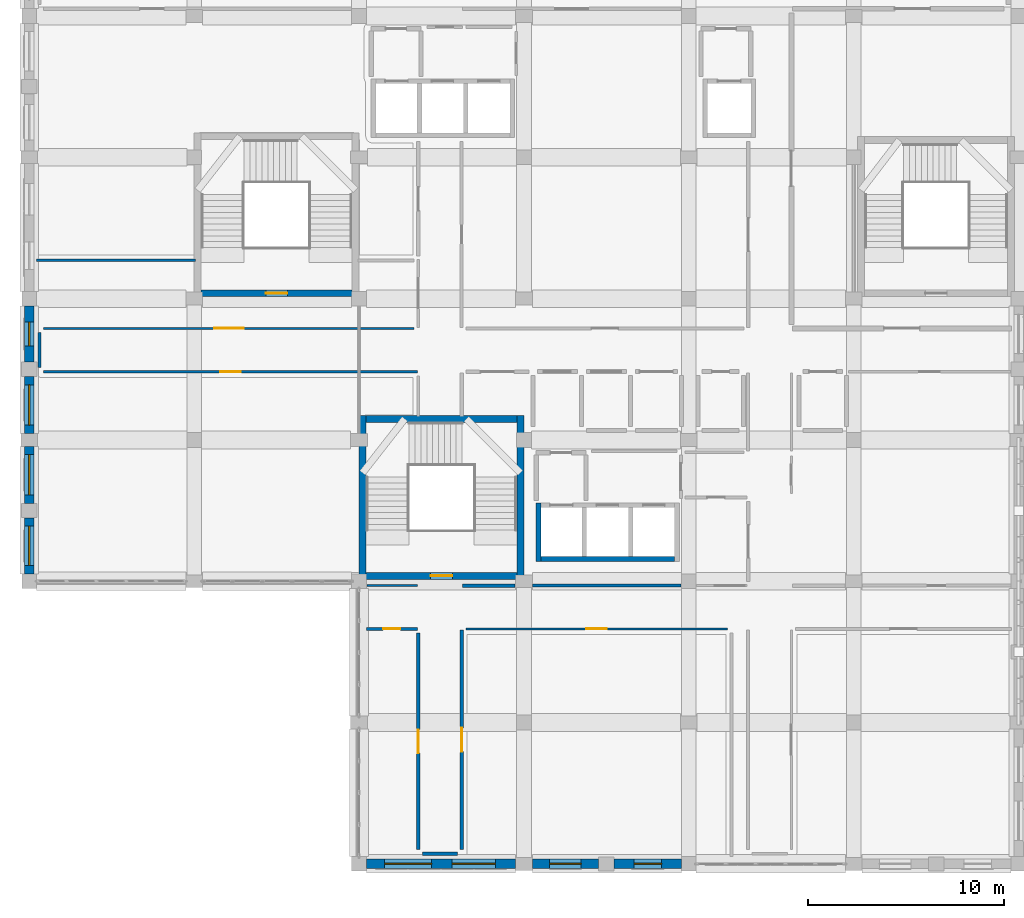
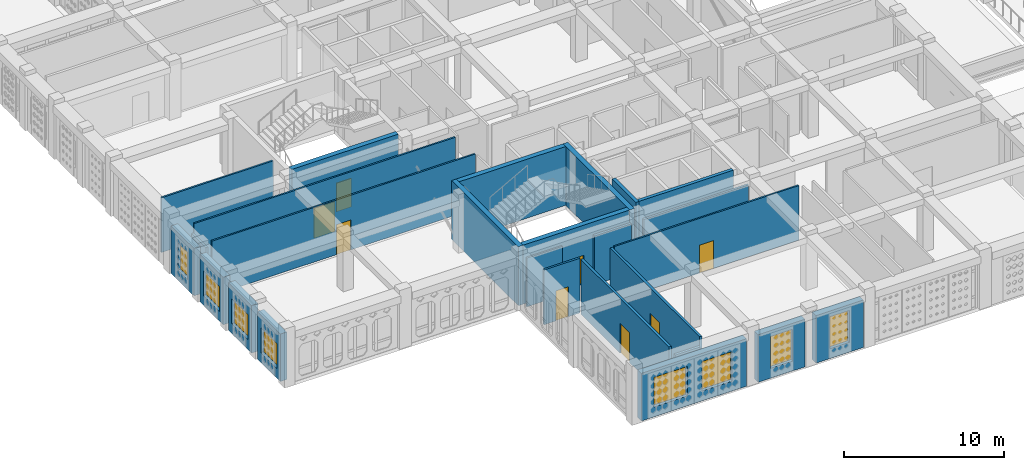
# One storey, part 52 of 100: 26 walls, 8 doors, 8 windows, 16 openings.
"""IFC4 building model written with IfcOpenShell, lengths in metres."""

from ifc_helpers import new_model, si_unit, derived_unit, direction, frame, frame_2d, origin, place, context, subcontext, project, spatial, rectangle, extrude, material, layer, layer_set, type_object, element, fill, save


model = new_model("IFC4")

# Units and contexts
model_context = context("Model", 3, precision=1e-05, world=origin(), true_north=direction((0.0, 1.0)))
body_context = subcontext(model_context, "Body", "Model", "MODEL_VIEW")
ifc_project = project(units=[si_unit("LENGTHUNIT", "METRE"), si_unit("AREAUNIT", "SQUARE_METRE"), si_unit("VOLUMEUNIT", "CUBIC_METRE"), si_unit("PLANEANGLEUNIT", "RADIAN"), si_unit("MASSUNIT", "GRAM", prefix="KILO"), derived_unit("THERMALTRANSMITTANCEUNIT", [(si_unit("POWERUNIT", "WATT"), 1), (si_unit("LENGTHUNIT", "METRE"), -2), (si_unit("THERMODYNAMICTEMPERATUREUNIT", "KELVIN"), -1)])], contexts=[model_context])

# Site, building, storey
site_placement = place(None, origin())
site = spatial("IfcSite", under=ifc_project, at=site_placement, CompositionType="ELEMENT")
building_placement = place(site_placement, origin())
building = spatial("IfcBuilding", under=site, at=building_placement, Name="Veybourne Emporium", CompositionType="ELEMENT")
storey_placement = place(building_placement, frame((0.0, 0.0, 14.39990234375)))
storey = spatial("IfcBuildingStorey", under=building, at=storey_placement, Name="L03", CompositionType="ELEMENT", Elevation=14.39990234375)

# Wall, opening, window
ifc_material_1 = material(Name="Portland Limestone Ashlar", Category="masonry")
ifc_layer_1 = layer(ifc_material_1, 0.47998046875)
ifc_layer_set_1 = layer_set([ifc_layer_1], Name="Portland Limestone Ashlar")
wall_type_1 = type_object("IfcWallType", Name="ExtWall_EW-01", PredefinedType="SOLIDWALL", material=ifc_layer_set_1)
wall_1_placement = place(storey_placement, frame((0.0, 14.77490234375, 0.0), z_axis=(0.0, 0.0, 1.0), x_axis=(0.0, 1.0, 0.0)))
wall_1 = element("IfcWall", 1, at=wall_1_placement, inside=storey, type_object=wall_type_1, Name="L03 Portland stone external wall 002A", PredefinedType="SOLIDWALL", context=body_context, shape_type="SweptSolid", body=[
    extrude(rectangle(XDim=2.85498046875, YDim=0.47998046875, at=frame_2d((1.427490234375, 0.0))), origin(), (0.0, 0.0, 1.0), 3.630126953125),
])
opening_1_placement = place(wall_1_placement, frame((0.427490234375, 0.0, 0.75)))
opening_1 = element("IfcOpeningElement", 2, at=opening_1_placement, cuts=wall_1, Name="Opening W-06", PredefinedType="OPENING", context=body_context, shape_type="SweptSolid", body=[
    extrude(rectangle(XDim=2.0, YDim=1.89990234375, at=frame_2d((1.0, 0.949951171875))), frame((0.0, 0.260009765625, 0.0), z_axis=(0.0, -1.0, 0.0), x_axis=(1.0, 0.0, 0.0)), (0.0, 0.0, 1.0), 0.52001953125),
])
ifc_material_2 = material(Name="Low-E Triple Glazing", Category="glass")
window_type_1 = type_object("IfcWindowType", Name="Win_W-06", PartitioningType="TRIPLE_PANEL_VERTICAL", PredefinedType="WINDOW", material=ifc_material_2)
window_1_placement = place(opening_1_placement, origin())
window_1 = element("IfcWindow", 3, at=window_1_placement, inside=storey, type_object=window_type_1, Name="L03 tripartite bronze casement window W-06 (2A)", OverallHeight=1.89990234375, OverallWidth=2.0, PartitioningType="TRIPLE_PANEL_VERTICAL", PredefinedType="WINDOW", context=body_context, shape_type="SweptSolid", body=[
    extrude(rectangle(XDim=2.0, YDim=1.89990234375, at=frame_2d((1.0, 0.949951171875))), frame((0.0, 0.030029296875, 0.0), z_axis=(0.0, -1.0, 0.0), x_axis=(1.0, 0.0, 0.0)), (0.0, 0.0, 1.0), 0.06005859375),
])
fill(opening_1, window_1)

wall_2_placement = place(storey_placement, frame((0.0, 18.3701171875, 0.0), z_axis=(0.0, 0.0, 1.0), x_axis=(0.0, 1.0, 0.0)))
wall_2 = element("IfcWall", 4, at=wall_2_placement, inside=storey, type_object=wall_type_1, Name="L03 Portland stone external wall 002B", PredefinedType="SOLIDWALL", context=body_context, shape_type="SweptSolid", body=[
    extrude(rectangle(XDim=2.90478515625, YDim=0.47998046875, at=frame_2d((1.452392578125, 0.0))), origin(), (0.0, 0.0, 1.0), 3.630126953125),
])
opening_2_placement = place(wall_2_placement, frame((0.427490234375, 0.0, 0.75)))
opening_2 = element("IfcOpeningElement", 5, at=opening_2_placement, cuts=wall_2, Name="Opening W-07", PredefinedType="OPENING", context=body_context, shape_type="SweptSolid", body=[
    extrude(rectangle(XDim=2.050048828125, YDim=1.89990234375, at=frame_2d((1.02490234375, 0.949951171875))), frame((0.0, 0.260009765625, 0.0), z_axis=(0.0, -1.0, 0.0), x_axis=(1.0, 0.0, 0.0)), (0.0, 0.0, 1.0), 0.52001953125),
])
window_type_2 = type_object("IfcWindowType", Name="Win_W-07", PartitioningType="TRIPLE_PANEL_VERTICAL", PredefinedType="WINDOW", material=ifc_material_2)
window_2_placement = place(opening_2_placement, origin())
window_2 = element("IfcWindow", 6, at=window_2_placement, inside=storey, type_object=window_type_2, Name="L03 tripartite bronze casement window W-07 (2B)", OverallHeight=1.89990234375, OverallWidth=2.050048828125, PartitioningType="TRIPLE_PANEL_VERTICAL", PredefinedType="WINDOW", context=body_context, shape_type="SweptSolid", body=[
    extrude(rectangle(XDim=2.050048828125, YDim=1.89990234375, at=frame_2d((1.02490234375, 0.949951171875))), frame((0.0, 0.030029296875, 0.0), z_axis=(0.0, -1.0, 0.0), x_axis=(1.0, 0.0, 0.0)), (0.0, 0.0, 1.0), 0.06005859375),
])
fill(opening_2, window_2)

wall_3_placement = place(storey_placement, frame((0.0, 21.925048828125, 0.0), z_axis=(0.0, 0.0, 1.0), x_axis=(0.0, 1.0, 0.0)))
wall_3 = element("IfcWall", 7, at=wall_3_placement, inside=storey, type_object=wall_type_1, Name="L03 Portland stone external wall 003A", PredefinedType="SOLIDWALL", context=body_context, shape_type="SweptSolid", body=[
    extrude(rectangle(XDim=2.905029296875, YDim=0.47998046875, at=frame_2d((1.45263671875, 0.0))), origin(), (0.0, 0.0, 1.0), 3.630126953125),
])
opening_3_placement = place(wall_3_placement, frame((0.427490234375, 0.0, 0.75)))
opening_3 = element("IfcOpeningElement", 8, at=opening_3_placement, cuts=wall_3, Name="Opening W-08", PredefinedType="OPENING", context=body_context, shape_type="SweptSolid", body=[
    extrude(rectangle(XDim=2.050048828125, YDim=1.89990234375, at=frame_2d((1.02490234375, 0.949951171875))), frame((0.0, 0.260009765625, 0.0), z_axis=(0.0, -1.0, 0.0), x_axis=(1.0, 0.0, 0.0)), (0.0, 0.0, 1.0), 0.52001953125),
])
window_type_3 = type_object("IfcWindowType", Name="Win_W-08", PartitioningType="TRIPLE_PANEL_VERTICAL", PredefinedType="WINDOW", material=ifc_material_2)
window_3_placement = place(opening_3_placement, origin())
window_3 = element("IfcWindow", 9, at=window_3_placement, inside=storey, type_object=window_type_3, Name="L03 tripartite bronze casement window W-08 (3A)", OverallHeight=1.89990234375, OverallWidth=2.050048828125, PartitioningType="TRIPLE_PANEL_VERTICAL", PredefinedType="WINDOW", context=body_context, shape_type="SweptSolid", body=[
    extrude(rectangle(XDim=2.050048828125, YDim=1.89990234375, at=frame_2d((1.02490234375, 0.949951171875))), frame((0.0, 0.030029296875, 0.0), z_axis=(0.0, -1.0, 0.0), x_axis=(1.0, 0.0, 0.0)), (0.0, 0.0, 1.0), 0.06005859375),
])
fill(opening_3, window_3)

wall_4_placement = place(storey_placement, frame((0.0, 25.570068359375, 0.0), z_axis=(0.0, 0.0, 1.0), x_axis=(0.0, 1.0, 0.0)))
wall_4 = element("IfcWall", 10, at=wall_4_placement, inside=storey, type_object=wall_type_1, Name="L03 Portland stone external wall 003B", PredefinedType="SOLIDWALL", context=body_context, shape_type="SweptSolid", body=[
    extrude(rectangle(XDim=2.85498046875, YDim=0.47998046875, at=frame_2d((1.427490234375, 0.0))), origin(), (0.0, 0.0, 1.0), 3.630126953125),
])
opening_4_placement = place(wall_4_placement, frame((0.827392578125, 0.0, 0.75)))
opening_4 = element("IfcOpeningElement", 11, at=opening_4_placement, cuts=wall_4, Name="Opening W-09", PredefinedType="OPENING", context=body_context, shape_type="SweptSolid", body=[
    extrude(rectangle(XDim=1.199951171875, YDim=2.080078125, at=frame_2d((0.60009765625, 1.0400390625))), frame((0.0, 0.260009765625, 0.0), z_axis=(0.0, -1.0, 0.0), x_axis=(1.0, 0.0, 0.0)), (0.0, 0.0, 1.0), 0.52001953125),
])
window_type_4 = type_object("IfcWindowType", Name="Win_W-09", PartitioningType="SINGLE_PANEL", PredefinedType="WINDOW", material=ifc_material_2)
window_4_placement = place(opening_4_placement, origin())
window_4 = element("IfcWindow", 12, at=window_4_placement, inside=storey, type_object=window_type_4, Name="L03 tripartite bronze casement window W-09 (3B)", OverallHeight=2.080078125, OverallWidth=1.199951171875, PartitioningType="SINGLE_PANEL", PredefinedType="WINDOW", context=body_context, shape_type="SweptSolid", body=[
    extrude(rectangle(XDim=1.199951171875, YDim=2.080078125, at=frame_2d((0.60009765625, 1.0400390625))), frame((0.0, 0.030029296875, 0.0), z_axis=(0.0, -1.0, 0.0), x_axis=(1.0, 0.0, 0.0)), (0.0, 0.0, 1.0), 0.06005859375),
])
fill(opening_4, window_4)

# Wall, openings, windows
wall_5_placement = place(storey_placement, frame((24.77490234375, 0.0, 0.0), z_axis=(0.0, 0.0, 1.0), x_axis=(-1.0, 0.0, 0.0)))
wall_5 = element("IfcWall", 13, at=wall_5_placement, inside=storey, type_object=wall_type_1, Name="L03 Portland stone external wall 014", PredefinedType="SOLIDWALL", context=body_context, shape_type="SweptSolid", body=[
    extrude(rectangle(XDim=7.599853515625, YDim=0.47998046875, at=frame_2d((3.7998046875, 0.0))), origin(), (0.0, 0.0, 1.0), 3.630126953125),
])
opening_5_placement = place(wall_5_placement, frame((1.028076171875, 0.0, 0.75)))
opening_5 = element("IfcOpeningElement", 14, at=opening_5_placement, cuts=wall_5, Name="Opening W-22", PredefinedType="OPENING", context=body_context, shape_type="SweptSolid", body=[
    extrude(rectangle(XDim=2.199951171875, YDim=2.260009765625, at=frame_2d((1.10009765625, 1.1298828125))), frame((0.0, 0.260009765625, 0.0), z_axis=(0.0, -1.0, 0.0), x_axis=(1.0, 0.0, 0.0)), (0.0, 0.0, 1.0), 0.52001953125),
])
opening_6_placement = place(wall_5_placement, frame((4.27197265625, 0.0, 0.75)))
opening_6 = element("IfcOpeningElement", 15, at=opening_6_placement, cuts=wall_5, Name="Opening W-23", PredefinedType="OPENING", context=body_context, shape_type="SweptSolid", body=[
    extrude(rectangle(XDim=2.39990234375, YDim=2.260009765625, at=frame_2d((1.199951171875, 1.1298828125))), frame((0.0, 0.260009765625, 0.0), z_axis=(0.0, -1.0, 0.0), x_axis=(1.0, 0.0, 0.0)), (0.0, 0.0, 1.0), 0.52001953125),
])
window_type_5 = type_object("IfcWindowType", Name="Win_W-22", PartitioningType="TRIPLE_PANEL_VERTICAL", PredefinedType="WINDOW", material=ifc_material_2)
window_5_placement = place(opening_5_placement, origin())
window_5 = element("IfcWindow", 16, at=window_5_placement, inside=storey, type_object=window_type_5, Name="L03 tripartite bronze casement window W-22 (14.1)", OverallHeight=2.260009765625, OverallWidth=2.199951171875, PartitioningType="TRIPLE_PANEL_VERTICAL", PredefinedType="WINDOW", context=body_context, shape_type="SweptSolid", body=[
    extrude(rectangle(XDim=2.199951171875, YDim=2.260009765625, at=frame_2d((1.10009765625, 1.1298828125))), frame((0.0, 0.030029296875, 0.0), z_axis=(0.0, -1.0, 0.0), x_axis=(1.0, 0.0, 0.0)), (0.0, 0.0, 1.0), 0.06005859375),
])
fill(opening_5, window_5)
window_type_6 = type_object("IfcWindowType", Name="Win_W-23", PartitioningType="TRIPLE_PANEL_VERTICAL", PredefinedType="WINDOW", material=ifc_material_2)
window_6_placement = place(opening_6_placement, origin())
window_6 = element("IfcWindow", 17, at=window_6_placement, inside=storey, type_object=window_type_6, Name="L03 tripartite bronze casement window W-23 (14.2)", OverallHeight=2.260009765625, OverallWidth=2.39990234375, PartitioningType="TRIPLE_PANEL_VERTICAL", PredefinedType="WINDOW", context=body_context, shape_type="SweptSolid", body=[
    extrude(rectangle(XDim=2.39990234375, YDim=2.260009765625, at=frame_2d((1.199951171875, 1.1298828125))), frame((0.0, 0.030029296875, 0.0), z_axis=(0.0, -1.0, 0.0), x_axis=(1.0, 0.0, 0.0)), (0.0, 0.0, 1.0), 0.06005859375),
])
fill(opening_6, window_6)

# Wall, opening, window
wall_6_placement = place(storey_placement, frame((33.22509765625, 0.0, 0.0), z_axis=(0.0, 0.0, 1.0), x_axis=(-1.0, 0.0, 0.0)))
wall_6 = element("IfcWall", 18, at=wall_6_placement, inside=storey, type_object=wall_type_1, Name="L03 Portland stone external wall 019A", PredefinedType="SOLIDWALL", context=body_context, shape_type="SweptSolid", body=[
    extrude(rectangle(XDim=3.425048828125, YDim=0.47998046875, at=frame_2d((1.71240234375, 0.0))), origin(), (0.0, 0.0, 1.0), 3.630126953125),
])
opening_7_placement = place(wall_6_placement, frame((1.012451171875, 0.0, 0.75)))
opening_7 = element("IfcOpeningElement", 19, at=opening_7_placement, cuts=wall_6, Name="Opening W-26", PredefinedType="OPENING", context=body_context, shape_type="SweptSolid", body=[
    extrude(rectangle(XDim=1.39990234375, YDim=2.43994140625, at=frame_2d((0.699951171875, 1.219970703125))), frame((0.0, 0.260009765625, 0.0), z_axis=(0.0, -1.0, 0.0), x_axis=(1.0, 0.0, 0.0)), (0.0, 0.0, 1.0), 0.52001953125),
])
window_type_7 = type_object("IfcWindowType", Name="Win_W-26", PartitioningType="DOUBLE_PANEL_VERTICAL", PredefinedType="WINDOW", material=ifc_material_2)
window_7_placement = place(opening_7_placement, origin())
window_7 = element("IfcWindow", 20, at=window_7_placement, inside=storey, type_object=window_type_7, Name="L03 tripartite bronze casement window W-26 (19A)", OverallHeight=2.43994140625, OverallWidth=1.39990234375, PartitioningType="DOUBLE_PANEL_VERTICAL", PredefinedType="WINDOW", context=body_context, shape_type="SweptSolid", body=[
    extrude(rectangle(XDim=1.39990234375, YDim=2.43994140625, at=frame_2d((0.699951171875, 1.219970703125))), frame((0.0, 0.030029296875, 0.0), z_axis=(0.0, -1.0, 0.0), x_axis=(1.0, 0.0, 0.0)), (0.0, 0.0, 1.0), 0.06005859375),
])
fill(opening_7, window_7)

wall_7_placement = place(storey_placement, frame((29.0, 0.0, 0.0), z_axis=(0.0, 0.0, 1.0), x_axis=(-1.0, 0.0, 0.0)))
wall_7 = element("IfcWall", 21, at=wall_7_placement, inside=storey, type_object=wall_type_1, Name="L03 Portland stone external wall 019B", PredefinedType="SOLIDWALL", context=body_context, shape_type="SweptSolid", body=[
    extrude(rectangle(XDim=3.375, YDim=0.47998046875, at=frame_2d((1.6875, 0.0))), origin(), (0.0, 0.0, 1.0), 3.630126953125),
])
opening_8_placement = place(wall_7_placement, frame((0.887451171875, 0.0, 0.75)))
opening_8 = element("IfcOpeningElement", 22, at=opening_8_placement, cuts=wall_7, Name="Opening W-27", PredefinedType="OPENING", context=body_context, shape_type="SweptSolid", body=[
    extrude(rectangle(XDim=1.60009765625, YDim=2.43994140625, at=frame_2d((0.800048828125, 1.219970703125))), frame((0.0, 0.260009765625, 0.0), z_axis=(0.0, -1.0, 0.0), x_axis=(1.0, 0.0, 0.0)), (0.0, 0.0, 1.0), 0.52001953125),
])
window_type_8 = type_object("IfcWindowType", Name="Win_W-27", PartitioningType="DOUBLE_PANEL_VERTICAL", PredefinedType="WINDOW", material=ifc_material_2)
window_8_placement = place(opening_8_placement, origin())
window_8 = element("IfcWindow", 23, at=window_8_placement, inside=storey, type_object=window_type_8, Name="L03 tripartite bronze casement window W-27 (19B)", OverallHeight=2.43994140625, OverallWidth=1.60009765625, PartitioningType="DOUBLE_PANEL_VERTICAL", PredefinedType="WINDOW", context=body_context, shape_type="SweptSolid", body=[
    extrude(rectangle(XDim=1.60009765625, YDim=2.43994140625, at=frame_2d((0.800048828125, 1.219970703125))), frame((0.0, 0.030029296875, 0.0), z_axis=(0.0, -1.0, 0.0), x_axis=(1.0, 0.0, 0.0)), (0.0, 0.0, 1.0), 0.06005859375),
])
fill(opening_8, window_8)

# Wall, opening, door
ifc_material_3 = material(Name="Concrete C40/50", Category="concrete")
ifc_layer_2 = layer(ifc_material_3, 0.35009765625)
ifc_layer_set_2 = layer_set([ifc_layer_2], Name="Concrete C40/50")
wall_type_2 = type_object("IfcWallType", Name="IntWall_CW-02", PredefinedType="SHEAR", material=ifc_layer_set_2)
wall_8_placement = place(storey_placement, frame((24.85009765625, 14.675048828125, 0.0), z_axis=(0.0, 0.0, 1.0), x_axis=(-1.0, 0.0, 0.0)))
wall_8 = element("IfcWall", 24, at=wall_8_placement, inside=storey, type_object=wall_type_2, Name="Core stair ST-01 south shear wall (L03)", PredefinedType="SHEAR", context=body_context, shape_type="SweptSolid", body=[
    extrude(rectangle(XDim=7.7001953125, YDim=0.35009765625, at=frame_2d((3.85009765625, 0.0))), origin(), (0.0, 0.0, 1.0), 4.5),
])
opening_9_placement = place(wall_8_placement, frame((3.300048828125, 0.0, 0.0)))
opening_9 = element("IfcOpeningElement", 25, at=opening_9_placement, cuts=wall_8, Name="Opening FD-01", PredefinedType="OPENING", context=body_context, shape_type="SweptSolid", body=[
    extrude(rectangle(XDim=1.10009765625, YDim=2.199951171875, at=frame_2d((0.550048828125, 1.10009765625))), frame((0.0, 0.195068359375, 0.0), z_axis=(0.0, -1.0, 0.0), x_axis=(1.0, 0.0, 0.0)), (0.0, 0.0, 1.0), 0.39013671875),
])
ifc_material_4 = material(Name="Patinated Architectural Bronze", Category="bronze")
door_type_1 = type_object("IfcDoorType", Name="FireDoor_FD-01", OperationType="NOTDEFINED", PredefinedType="DOOR", material=ifc_material_4)
door_1_placement = place(opening_9_placement, origin())
door_1 = element("IfcDoor", 26, at=door_1_placement, inside=storey, type_object=door_type_1, Name="Stair ST-01 fire door (L03)", OperationType="SINGLE_SWING_RIGHT", OverallHeight=2.199951171875, OverallWidth=1.10009765625, PredefinedType="DOOR", context=body_context, shape_type="SweptSolid", body=[
    extrude(rectangle(XDim=1.10009765625, YDim=2.199951171875, at=frame_2d((0.550048828125, 1.10009765625))), frame((0.0, 0.02490234375, 0.0), z_axis=(0.0, -1.0, 0.0), x_axis=(1.0, 0.0, 0.0)), (0.0, 0.0, 1.0), 0.050048828125),
])
fill(opening_9, door_1)

# Walls
wall_9_placement = place(storey_placement, frame((17.14990234375, 22.675048828125, 0.0), z_axis=(0.0, 0.0, 1.0), x_axis=(1.0, 0.0, 0.0)))
element("IfcWall", 27, at=wall_9_placement, inside=storey, type_object=wall_type_2, Name="Core stair ST-01 north shear wall (L03)", PredefinedType="SHEAR", context=body_context, shape_type="SweptSolid", body=[
    extrude(rectangle(XDim=7.7001953125, YDim=0.35009765625, at=frame_2d((3.85009765625, 0.0))), origin(), (0.0, 0.0, 1.0), 4.5),
])
for number, where, z_axis, x_axis, name in (
    (28, (16.97509765625, 22.85009765625, 0.0), (0.0, 0.0, 1.0), (0.0, -1.0, 0.0), "Core stair ST-01 west shear wall (L03)"),
    (29, (25.02490234375, 14.5, 0.0), (0.0, 0.0, 1.0), (0.0, 1.0, 0.0), "Core stair ST-01 east shear wall (L03)"),
):
    element("IfcWall", number, at=place(storey_placement, frame(where, z_axis=z_axis, x_axis=x_axis)), inside=storey, type_object=wall_type_2, Name=name, PredefinedType="SHEAR", context=body_context, shape_type="SweptSolid", body=[
        extrude(rectangle(XDim=8.35009765625, YDim=0.35009765625, at=frame_2d((4.175048828125, 0.0))), origin(), (0.0, 0.0, 1.0), 4.5),
    ])

# Wall, opening, door
wall_10_placement = place(storey_placement, frame((16.449951171875, 29.074951171875, 0.0), z_axis=(0.0, 0.0, 1.0), x_axis=(-1.0, 0.0, 0.0)))
wall_10 = element("IfcWall", 30, at=wall_10_placement, inside=storey, type_object=wall_type_2, Name="Core stair ST-02 south shear wall (L03)", PredefinedType="SHEAR", context=body_context, shape_type="SweptSolid", body=[
    extrude(rectangle(XDim=7.699951171875, YDim=0.35009765625, at=frame_2d((3.85009765625, 0.0))), origin(), (0.0, 0.0, 1.0), 4.5),
])
opening_10_placement = place(wall_10_placement, frame((3.300048828125, 0.0, 0.0)))
opening_10 = element("IfcOpeningElement", 31, at=opening_10_placement, cuts=wall_10, Name="Opening FD-01", PredefinedType="OPENING", context=body_context, shape_type="SweptSolid", body=[
    extrude(rectangle(XDim=1.10009765625, YDim=2.199951171875, at=frame_2d((0.550048828125, 1.10009765625))), frame((0.0, 0.195068359375, 0.0), z_axis=(0.0, -1.0, 0.0), x_axis=(1.0, 0.0, 0.0)), (0.0, 0.0, 1.0), 0.39013671875),
])
door_2_placement = place(opening_10_placement, origin())
door_2 = element("IfcDoor", 32, at=door_2_placement, inside=storey, type_object=door_type_1, Name="Stair ST-02 fire door (L03)", OperationType="SINGLE_SWING_LEFT", OverallHeight=2.199951171875, OverallWidth=1.10009765625, PredefinedType="DOOR", context=body_context, shape_type="SweptSolid", body=[
    extrude(rectangle(XDim=1.10009765625, YDim=2.199951171875, at=frame_2d((0.550048828125, 1.10009765625))), frame((0.0, 0.02490234375, 0.0), z_axis=(0.0, -1.0, 0.0), x_axis=(1.0, 0.0, 0.0)), (0.0, 0.0, 1.0), 0.050048828125),
])
fill(opening_10, door_2)

# Walls
ifc_layer_3 = layer(ifc_material_3, 0.239990234375)
ifc_layer_set_3 = layer_set([ifc_layer_3], Name="Concrete C40/50")
wall_type_3 = type_object("IfcWallType", Name="IntWall_CW-04", PredefinedType="SHEAR", material=ifc_layer_set_3)
wall_11_placement = place(storey_placement, frame((26.06005859375, 15.530029296875, 0.0), z_axis=(0.0, 0.0, 1.0), x_axis=(1.0, 0.0, 0.0)))
element("IfcWall", 33, at=wall_11_placement, inside=storey, type_object=wall_type_3, Name="Lift core C1 south shaft wall (L03)", PredefinedType="SHEAR", context=body_context, shape_type="SweptSolid", body=[
    extrude(rectangle(XDim=6.81982421875, YDim=0.239990234375, at=frame_2d((3.409912109375, 0.0))), origin(), (0.0, 0.0, 1.0), 4.18017578125),
])
wall_12_placement = place(storey_placement, frame((25.93994140625, 18.389892578125, 0.0), z_axis=(0.0, 0.0, 1.0), x_axis=(0.0, -1.0, 0.0)))
element("IfcWall", 34, at=wall_12_placement, inside=storey, type_object=wall_type_3, Name="Lift core C1 west shaft wall (L03)", PredefinedType="SHEAR", context=body_context, shape_type="SweptSolid", body=[
    extrude(rectangle(XDim=2.97998046875, YDim=0.239990234375, at=frame_2d((1.489990234375, 0.0))), origin(), (0.0, 0.0, 1.0), 4.18017578125),
])
ifc_material_5 = material(Name="Gypsum Acoustic Board", Category="gypsum")
ifc_layer_4 = layer(ifc_material_5, 0.179931640625)
ifc_layer_set_4 = layer_set([ifc_layer_4], Name="Gypsum Acoustic Board")
wall_type_4 = type_object("IfcWallType", Name="IntWall_IW-01", PredefinedType="PARTITIONING", material=ifc_layer_set_4)
wall_13_placement = place(storey_placement, frame((22.080078125, 14.179931640625, 0.0), z_axis=(0.0, 0.0, 1.0), x_axis=(1.0, 0.0, 0.0)))
element("IfcWall", 35, at=wall_13_placement, inside=storey, type_object=wall_type_4, Name="L03 interior partition IW-01 #023", PredefinedType="PARTITIONING", context=body_context, shape_type="SweptSolid", body=[
    extrude(rectangle(XDim=2.6748046875, YDim=0.179931640625, at=frame_2d((1.33740234375, 0.0))), origin(), (0.0, 0.0, 1.0), 3.72998046875),
])

# Wall, opening, door
wall_14_placement = place(storey_placement, frame((22.030029296875, 0.72998046875, 0.0), z_axis=(0.0, 0.0, 1.0), x_axis=(0.0, 1.0, 0.0)))
wall_14 = element("IfcWall", 36, at=wall_14_placement, inside=storey, type_object=wall_type_4, Name="L03 interior partition IW-01 #041", PredefinedType="PARTITIONING", context=body_context, shape_type="SweptSolid", body=[
    extrude(rectangle(XDim=11.18994140625, YDim=0.179931640625, at=frame_2d((5.594970703125, 0.0))), origin(), (0.0, 0.0, 1.0), 4.18017578125),
])
opening_11_placement = place(wall_14_placement, frame((4.9951171875, 0.0, 0.0)))
opening_11 = element("IfcOpeningElement", 37, at=opening_11_placement, cuts=wall_14, Name="Opening D-15", PredefinedType="OPENING", context=body_context, shape_type="SweptSolid", body=[
    extrude(rectangle(XDim=1.199951171875, YDim=2.2099609375, at=frame_2d((0.60009765625, 1.10498046875))), frame((0.0, 0.10986328125, 0.0), z_axis=(0.0, -1.0, 0.0), x_axis=(1.0, 0.0, 0.0)), (0.0, 0.0, 1.0), 0.219970703125),
])
ifc_material_6 = material(Name="European Oak Veneer and Bronze", Category="wood")
door_type_2 = type_object("IfcDoorType", Name="IntDoor_D-15", OperationType="NOTDEFINED", PredefinedType="DOOR", material=ifc_material_6)
door_3_placement = place(opening_11_placement, origin())
door_3 = element("IfcDoor", 38, at=door_3_placement, inside=storey, type_object=door_type_2, Name="L03 interior door D-15 (PART-L03-041)", OperationType="SINGLE_SWING_LEFT", OverallHeight=2.2099609375, OverallWidth=1.199951171875, PredefinedType="DOOR", context=body_context, shape_type="SweptSolid", body=[
    extrude(rectangle(XDim=1.199951171875, YDim=2.2099609375, at=frame_2d((0.60009765625, 1.10498046875))), frame((0.0, 0.02490234375, 0.0), z_axis=(0.0, -1.0, 0.0), x_axis=(1.0, 0.0, 0.0)), (0.0, 0.0, 1.0), 0.050048828125),
])
fill(opening_11, door_3)

wall_15_placement = place(storey_placement, frame((19.820068359375, 0.72998046875, 0.0), z_axis=(0.0, 0.0, 1.0), x_axis=(0.0, 1.0, 0.0)))
wall_15 = element("IfcWall", 39, at=wall_15_placement, inside=storey, type_object=wall_type_4, Name="L03 interior partition IW-01 #047", PredefinedType="PARTITIONING", context=body_context, shape_type="SweptSolid", body=[
    extrude(rectangle(XDim=11.030029296875, YDim=0.179931640625, at=frame_2d((5.51513671875, 0.0))), origin(), (0.0, 0.0, 1.0), 4.18017578125),
])
opening_12_placement = place(wall_15_placement, frame((4.9150390625, 0.0, 0.0)))
opening_12 = element("IfcOpeningElement", 40, at=opening_12_placement, cuts=wall_15, Name="Opening D-21", PredefinedType="OPENING", context=body_context, shape_type="SweptSolid", body=[
    extrude(rectangle(XDim=1.199951171875, YDim=2.2900390625, at=frame_2d((0.60009765625, 1.14501953125))), frame((0.0, 0.10986328125, 0.0), z_axis=(0.0, -1.0, 0.0), x_axis=(1.0, 0.0, 0.0)), (0.0, 0.0, 1.0), 0.219970703125),
])
door_type_3 = type_object("IfcDoorType", Name="IntDoor_D-21", OperationType="NOTDEFINED", PredefinedType="DOOR", material=ifc_material_6)
door_4_placement = place(opening_12_placement, origin())
door_4 = element("IfcDoor", 41, at=door_4_placement, inside=storey, type_object=door_type_3, Name="L03 interior door D-21 (PART-L03-047)", OperationType="SINGLE_SWING_RIGHT", OverallHeight=2.2900390625, OverallWidth=1.199951171875, PredefinedType="DOOR", context=body_context, shape_type="SweptSolid", body=[
    extrude(rectangle(XDim=1.199951171875, YDim=2.2900390625, at=frame_2d((0.60009765625, 1.14501953125))), frame((0.0, 0.02490234375, 0.0), z_axis=(0.0, -1.0, 0.0), x_axis=(1.0, 0.0, 0.0)), (0.0, 0.0, 1.0), 0.050048828125),
])
fill(opening_12, door_4)

# Walls
wall_16_placement = place(storey_placement, frame((20.030029296875, 0.52001953125, 0.0), z_axis=(0.0, 0.0, 1.0), x_axis=(1.0, 0.0, 0.0)))
element("IfcWall", 42, at=wall_16_placement, inside=storey, type_object=wall_type_4, Name="L03 interior partition IW-01 #113", PredefinedType="PARTITIONING", context=body_context, shape_type="SweptSolid", body=[
    extrude(rectangle(XDim=1.7900390625, YDim=0.179931640625, at=frame_2d((0.89501953125, 0.0))), origin(), (0.0, 0.0, 1.0), 3.630126953125),
])
ifc_layer_5 = layer(ifc_material_5, 0.14990234375)
ifc_layer_set_5 = layer_set([ifc_layer_5], Name="Gypsum Acoustic Board")
wall_type_5 = type_object("IfcWallType", Name="IntWall_IW-02", PredefinedType="PARTITIONING", material=ifc_layer_set_5)
wall_17_placement = place(storey_placement, frame((25.64501953125, 14.179931640625, 0.0), z_axis=(0.0, 0.0, 1.0), x_axis=(1.0, 0.0, 0.0)))
element("IfcWall", 43, at=wall_17_placement, inside=storey, type_object=wall_type_5, Name="L03 interior partition IW-02 #024", PredefinedType="PARTITIONING", context=body_context, shape_type="SweptSolid", body=[
    extrude(rectangle(XDim=7.56005859375, YDim=0.14990234375, at=frame_2d((3.780029296875, 0.0))), origin(), (0.0, 0.0, 1.0), 3.72998046875),
])

# Wall, opening, door
wall_18_placement = place(storey_placement, frame((17.169921875, 11.969970703125, 0.0), z_axis=(0.0, 0.0, 1.0), x_axis=(1.0, 0.0, 0.0)))
wall_18 = element("IfcWall", 44, at=wall_18_placement, inside=storey, type_object=wall_type_5, Name="L03 interior partition IW-02 #081", PredefinedType="PARTITIONING", context=body_context, shape_type="SweptSolid", body=[
    extrude(rectangle(XDim=2.60009765625, YDim=0.14990234375, at=frame_2d((1.300048828125, 0.0))), origin(), (0.0, 0.0, 1.0), 4.18017578125),
])
opening_13_placement = place(wall_18_placement, frame((0.860107421875, 0.0, 0.0)))
opening_13 = element("IfcOpeningElement", 45, at=opening_13_placement, cuts=wall_18, Name="Opening D-19", PredefinedType="OPENING", context=body_context, shape_type="SweptSolid", body=[
    extrude(rectangle(XDim=0.8798828125, YDim=2.2900390625, at=frame_2d((0.43994140625, 1.14501953125))), frame((0.0, 0.094970703125, 0.0), z_axis=(0.0, -1.0, 0.0), x_axis=(1.0, 0.0, 0.0)), (0.0, 0.0, 1.0), 0.18994140625),
])
door_type_4 = type_object("IfcDoorType", Name="IntDoor_D-19", OperationType="NOTDEFINED", PredefinedType="DOOR", material=ifc_material_6)
door_5_placement = place(opening_13_placement, origin())
door_5 = element("IfcDoor", 46, at=door_5_placement, inside=storey, type_object=door_type_4, Name="L03 interior door D-19 (PART-L03-081)", OperationType="SINGLE_SWING_RIGHT", OverallHeight=2.2900390625, OverallWidth=0.8798828125, PredefinedType="DOOR", context=body_context, shape_type="SweptSolid", body=[
    extrude(rectangle(XDim=0.8798828125, YDim=2.2900390625, at=frame_2d((0.43994140625, 1.14501953125))), frame((0.0, 0.02490234375, 0.0), z_axis=(0.0, -1.0, 0.0), x_axis=(1.0, 0.0, 0.0)), (0.0, 0.0, 1.0), 0.050048828125),
])
fill(opening_13, door_5)

# Wall
wall_19_placement = place(storey_placement, frame((0.52001953125, 25.280029296875, 0.0), z_axis=(0.0, 0.0, 1.0), x_axis=(0.0, 1.0, 0.0)))
element("IfcWall", 47, at=wall_19_placement, inside=storey, type_object=wall_type_5, Name="L03 interior partition IW-02 #114", PredefinedType="PARTITIONING", context=body_context, shape_type="SweptSolid", body=[
    extrude(rectangle(XDim=1.7900390625, YDim=0.14990234375, at=frame_2d((0.89501953125, 0.0))), origin(), (0.0, 0.0, 1.0), 3.630126953125),
])

# Wall, opening, door
ifc_layer_6 = layer(ifc_material_5, 0.1201171875)
ifc_layer_set_6 = layer_set([ifc_layer_6], Name="Gypsum Acoustic Board")
wall_type_6 = type_object("IfcWallType", Name="IntWall_IW-03", PredefinedType="PARTITIONING", material=ifc_layer_set_6)
wall_20_placement = place(storey_placement, frame((0.72998046875, 25.070068359375, 0.0), z_axis=(0.0, 0.0, 1.0), x_axis=(1.0, 0.0, 0.0)))
wall_20 = element("IfcWall", 48, at=wall_20_placement, inside=storey, type_object=wall_type_6, Name="L03 interior partition IW-03 #010", PredefinedType="PARTITIONING", context=body_context, shape_type="SweptSolid", body=[
    extrude(rectangle(XDim=19.0400390625, YDim=0.1201171875, at=frame_2d((9.52001953125, 0.0))), origin(), (0.0, 0.0, 1.0), 4.18017578125),
])
opening_14_placement = place(wall_20_placement, frame((9.0, 0.0, 0.0)))
opening_14 = element("IfcOpeningElement", 49, at=opening_14_placement, cuts=wall_20, Name="Opening D-20", PredefinedType="OPENING", context=body_context, shape_type="SweptSolid", body=[
    extrude(rectangle(XDim=1.0400390625, YDim=2.2900390625, at=frame_2d((0.52001953125, 1.14501953125))), frame((0.0, 0.080078125, 0.0), z_axis=(0.0, -1.0, 0.0), x_axis=(1.0, 0.0, 0.0)), (0.0, 0.0, 1.0), 0.16015625),
])
door_type_5 = type_object("IfcDoorType", Name="IntDoor_D-20", OperationType="NOTDEFINED", PredefinedType="DOOR", material=ifc_material_6)
door_6_placement = place(opening_14_placement, origin())
door_6 = element("IfcDoor", 50, at=door_6_placement, inside=storey, type_object=door_type_5, Name="L03 interior door D-20 (PART-L03-010)", OperationType="SINGLE_SWING_LEFT", OverallHeight=2.2900390625, OverallWidth=1.0400390625, PredefinedType="DOOR", context=body_context, shape_type="SweptSolid", body=[
    extrude(rectangle(XDim=1.0400390625, YDim=2.2900390625, at=frame_2d((0.52001953125, 1.14501953125))), frame((0.0, 0.02490234375, 0.0), z_axis=(0.0, -1.0, 0.0), x_axis=(1.0, 0.0, 0.0)), (0.0, 0.0, 1.0), 0.050048828125),
])
fill(opening_14, door_6)

wall_21_placement = place(storey_placement, frame((0.72998046875, 27.280029296875, 0.0), z_axis=(0.0, 0.0, 1.0), x_axis=(1.0, 0.0, 0.0)))
wall_21 = element("IfcWall", 51, at=wall_21_placement, inside=storey, type_object=wall_type_6, Name="L03 interior partition IW-03 #013", PredefinedType="PARTITIONING", context=body_context, shape_type="SweptSolid", body=[
    extrude(rectangle(XDim=18.880126953125, YDim=0.1201171875, at=frame_2d((9.43994140625, 0.0))), origin(), (0.0, 0.0, 1.0), 4.18017578125),
])
opening_15_placement = place(wall_21_placement, frame((8.679931640625, 0.0, 0.0)))
opening_15 = element("IfcOpeningElement", 52, at=opening_15_placement, cuts=wall_21, Name="Opening D-23", PredefinedType="OPENING", context=body_context, shape_type="SweptSolid", body=[
    extrude(rectangle(XDim=1.52001953125, YDim=2.2900390625, at=frame_2d((0.760009765625, 1.14501953125))), frame((0.0, 0.080078125, 0.0), z_axis=(0.0, -1.0, 0.0), x_axis=(1.0, 0.0, 0.0)), (0.0, 0.0, 1.0), 0.16015625),
])
door_type_6 = type_object("IfcDoorType", Name="IntDoor_D-23", OperationType="NOTDEFINED", PredefinedType="DOOR", material=ifc_material_6)
door_7_placement = place(opening_15_placement, origin())
door_7 = element("IfcDoor", 53, at=door_7_placement, inside=storey, type_object=door_type_6, Name="L03 interior door D-23 (PART-L03-013)", OperationType="SINGLE_SWING_RIGHT", OverallHeight=2.2900390625, OverallWidth=1.52001953125, PredefinedType="DOOR", context=body_context, shape_type="SweptSolid", body=[
    extrude(rectangle(XDim=1.52001953125, YDim=2.2900390625, at=frame_2d((0.760009765625, 1.14501953125))), frame((0.0, 0.02490234375, 0.0), z_axis=(0.0, -1.0, 0.0), x_axis=(1.0, 0.0, 0.0)), (0.0, 0.0, 1.0), 0.050048828125),
])
fill(opening_15, door_7)

wall_22_placement = place(storey_placement, frame((22.239990234375, 11.969970703125, 0.0), z_axis=(0.0, 0.0, 1.0), x_axis=(1.0, 0.0, 0.0)))
wall_22 = element("IfcWall", 54, at=wall_22_placement, inside=storey, type_object=wall_type_6, Name="L03 interior partition IW-03 #034", PredefinedType="PARTITIONING", context=body_context, shape_type="SweptSolid", body=[
    extrude(rectangle(XDim=13.330078125, YDim=0.1201171875, at=frame_2d((6.6650390625, 0.0))), origin(), (0.0, 0.0, 1.0), 4.18017578125),
])
opening_16_placement = place(wall_22_placement, frame((6.14501953125, 0.0, 0.0)))
opening_16 = element("IfcOpeningElement", 55, at=opening_16_placement, cuts=wall_22, Name="Opening D-08", PredefinedType="OPENING", context=body_context, shape_type="SweptSolid", body=[
    extrude(rectangle(XDim=1.0400390625, YDim=2.1298828125, at=frame_2d((0.52001953125, 1.06494140625))), frame((0.0, 0.080078125, 0.0), z_axis=(0.0, -1.0, 0.0), x_axis=(1.0, 0.0, 0.0)), (0.0, 0.0, 1.0), 0.16015625),
])
door_type_7 = type_object("IfcDoorType", Name="IntDoor_D-08", OperationType="NOTDEFINED", PredefinedType="DOOR", material=ifc_material_6)
door_8_placement = place(opening_16_placement, origin())
door_8 = element("IfcDoor", 56, at=door_8_placement, inside=storey, type_object=door_type_7, Name="L03 interior door D-08 (PART-L03-034)", OperationType="SINGLE_SWING_LEFT", OverallHeight=2.1298828125, OverallWidth=1.0400390625, PredefinedType="DOOR", context=body_context, shape_type="SweptSolid", body=[
    extrude(rectangle(XDim=1.0400390625, YDim=2.1298828125, at=frame_2d((0.52001953125, 1.06494140625))), frame((0.0, 0.02490234375, 0.0), z_axis=(0.0, -1.0, 0.0), x_axis=(1.0, 0.0, 0.0)), (0.0, 0.0, 1.0), 0.050048828125),
])
fill(opening_16, door_8)

# Walls
wall_23_placement = place(storey_placement, frame((17.195068359375, 14.179931640625, 0.0), z_axis=(0.0, 0.0, 1.0), x_axis=(1.0, 0.0, 0.0)))
element("IfcWall", 57, at=wall_23_placement, inside=storey, type_object=wall_type_6, Name="L03 interior partition IW-03 #082", PredefinedType="PARTITIONING", context=body_context, shape_type="SweptSolid", body=[
    extrude(rectangle(XDim=2.574951171875, YDim=0.1201171875, at=frame_2d((1.28759765625, 0.0))), origin(), (0.0, 0.0, 1.0), 3.72998046875),
])
wall_24_placement = place(storey_placement, frame((0.3701171875, 30.75, 0.0), z_axis=(0.0, 0.0, 1.0), x_axis=(1.0, 0.0, 0.0)))
element("IfcWall", 58, at=wall_24_placement, inside=storey, type_object=wall_type_6, Name="L03 interior partition IW-03 #136", PredefinedType="PARTITIONING", context=body_context, shape_type="SweptSolid", body=[
    extrude(rectangle(XDim=8.08984375, YDim=0.1201171875, at=frame_2d((4.044921875, 0.0))), origin(), (0.0, 0.0, 1.0), 4.18017578125),
])

save(model, "model.ifc")
